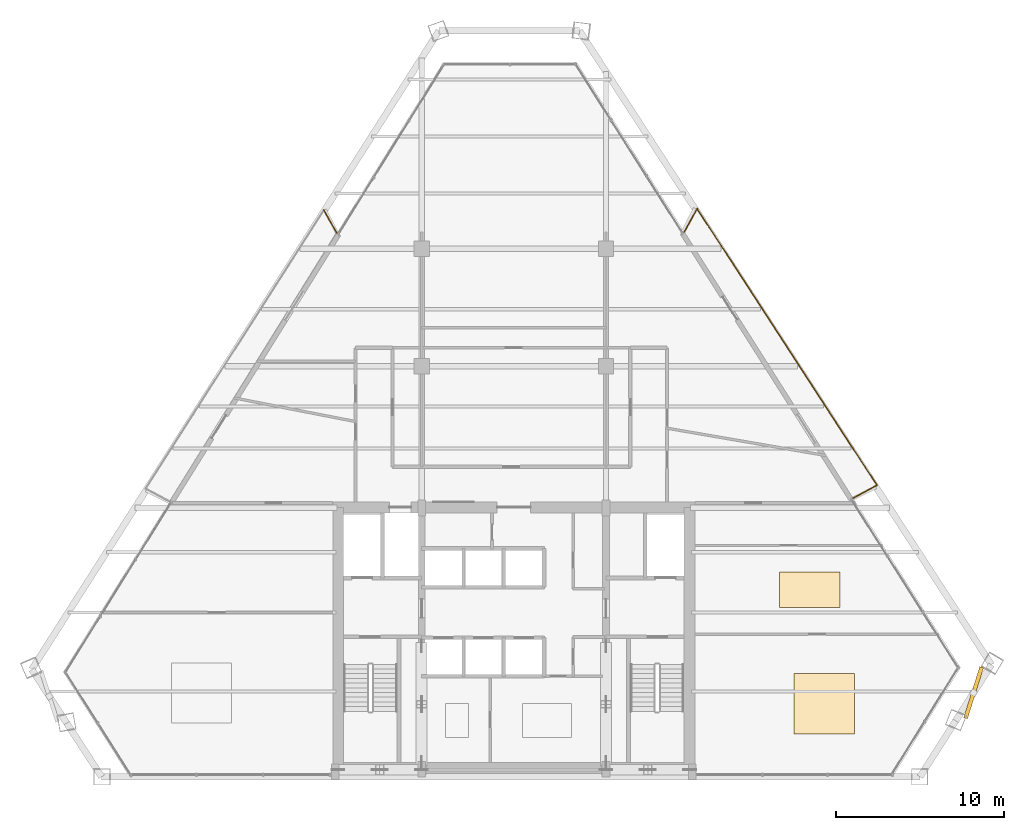
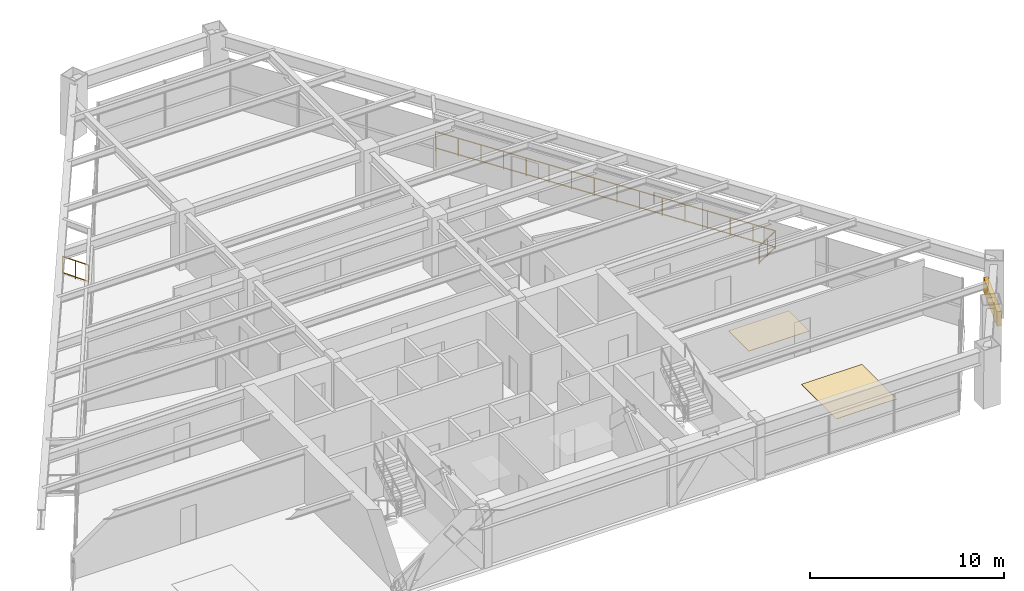
# One storey, part 15 of 15: 4 railings, 2 coverings, 1 shading device.
"""IFC4 building model written with IfcOpenShell, lengths in metres."""

from ifc_helpers import new_model, si_unit, direction, frame, origin, origin_2d, place, context, subcontext, project, spatial, rectangle, extrude, source, transform, mapped, material, layer, layer_set, type_object, type_shapes, element, save


model = new_model("IFC4")

# Units and contexts
model_context = context("Model", 3, precision=1e-05, world=origin(), true_north=direction((0.0, 1.0)))
body_context = subcontext(model_context, "Body", "Model", "MODEL_VIEW")
ifc_project = project(units=[si_unit("LENGTHUNIT", "METRE"), si_unit("AREAUNIT", "SQUARE_METRE"), si_unit("VOLUMEUNIT", "CUBIC_METRE"), si_unit("PLANEANGLEUNIT", "RADIAN"), si_unit("MASSUNIT", "GRAM", prefix="KILO")], contexts=[model_context])

# Site, building, storey
site_placement = place(None, origin())
site = spatial("IfcSite", under=ifc_project, at=site_placement, CompositionType="ELEMENT")
building_placement = place(site_placement, origin())
building = spatial("IfcBuilding", under=site, at=building_placement, Name="Varnakhor Terracotta Tower", CompositionType="ELEMENT")
storey_placement = place(building_placement, frame((0.0, 0.0, 182.10009765625)))
storey = spatial("IfcBuildingStorey", under=building, at=storey_placement, Name="L46", CompositionType="ELEMENT", Elevation=182.10009765625)

# Railings
ifc_material_1 = material(Name="Stainless Steel & Laminated Glass Guardrail", Category="steel")
railing_type = type_object("IfcRailingType", Name="RLG-LOGGIA-GUARD-1150", PredefinedType="GUARDRAIL", material=ifc_material_1)
railing_1_placement = place(storey_placement, frame((10.172119140625, 32.517578125, 0.0)))
element("IfcRailing", 1, at=railing_1_placement, inside=storey, type_object=railing_type, Name="L46 E Loggia Glass Guard 1", PredefinedType="GUARDRAIL", context=body_context, shape_type="SweptSolid", body=[
    extrude(rectangle(XDim=0.048095703125, YDim=0.048095703125, at=origin_2d()), frame((0.0, 0.0, 1.1259765625), z_axis=(0.487904724495, 0.872896889567, 0.0), x_axis=(-0.872896889567, 0.487904724495, 0.0)), (0.0, 0.0, 1.0), 1.5751953125),
    extrude(rectangle(XDim=0.048095703125, YDim=0.048095703125, at=origin_2d()), frame((0.0, 0.0, 0.10009765625), z_axis=(0.487904724495, 0.872896889567, 0.0), x_axis=(-0.872896889567, 0.487904724495, 0.0)), (0.0, 0.0, 1.0), 1.5751953125),
    extrude(rectangle(XDim=0.0419921875, YDim=0.0419921875, at=origin_2d()), origin(), (0.0, 0.0, 1.0), 1.101806640625),
    extrude(rectangle(XDim=0.0419921875, YDim=0.0419921875, at=origin_2d()), frame((0.38427734375, 0.6875, 0.0)), (0.0, 0.0, 1.0), 1.101806640625),
    extrude(rectangle(XDim=0.0419921875, YDim=0.0419921875, at=origin_2d()), frame((0.7685546875, 1.375, 0.0)), (0.0, 0.0, 1.0), 1.101806640625),
])
railing_2_placement = place(storey_placement, frame((10.940673828125, 33.892578125, 0.0)))
element("IfcRailing", 2, at=railing_2_placement, inside=storey, type_object=railing_type, Name="L46 E Loggia Glass Guard 2", PredefinedType="GUARDRAIL", context=body_context, shape_type="SweptSolid", body=[
    extrude(rectangle(XDim=0.048095703125, YDim=0.048095703125, at=origin_2d()), frame((0.0, 0.0, 1.1259765625), z_axis=(0.545097406997, -0.83837271955, 0.0), x_axis=(0.83837271955, 0.545097406997, 0.0)), (0.0, 0.0, 1.0), 19.671142578125),
    extrude(rectangle(XDim=0.048095703125, YDim=0.048095703125, at=origin_2d()), frame((0.0, 0.0, 0.10009765625), z_axis=(0.545097406997, -0.83837271955, 0.0), x_axis=(0.83837271955, 0.545097406997, 0.0)), (0.0, 0.0, 1.0), 19.671142578125),
    extrude(rectangle(XDim=0.0419921875, YDim=0.0419921875, at=origin_2d()), origin(), (0.0, 0.0, 1.0), 1.101806640625),
    extrude(rectangle(XDim=0.0419921875, YDim=0.0419921875, at=origin_2d()), frame((0.71484375, -1.099365234375, 0.0)), (0.0, 0.0, 1.0), 1.101806640625),
    extrude(rectangle(XDim=0.0419921875, YDim=0.0419921875, at=origin_2d()), frame((1.4296875, -2.198974609375, 0.0)), (0.0, 0.0, 1.0), 1.101806640625),
    extrude(rectangle(XDim=0.0419921875, YDim=0.0419921875, at=origin_2d()), frame((2.14453125, -3.29833984375, 0.0)), (0.0, 0.0, 1.0), 1.101806640625),
    extrude(rectangle(XDim=0.0419921875, YDim=0.0419921875, at=origin_2d()), frame((2.859375, -4.397705078125, 0.0)), (0.0, 0.0, 1.0), 1.101806640625),
    extrude(rectangle(XDim=0.0419921875, YDim=0.0419921875, at=origin_2d()), frame((3.57421875, -5.497314453125, 0.0)), (0.0, 0.0, 1.0), 1.101806640625),
    extrude(rectangle(XDim=0.0419921875, YDim=0.0419921875, at=origin_2d()), frame((4.2890625, -6.5966796875, 0.0)), (0.0, 0.0, 1.0), 1.101806640625),
    extrude(rectangle(XDim=0.0419921875, YDim=0.0419921875, at=origin_2d()), frame((5.00390625, -7.696044921875, 0.0)), (0.0, 0.0, 1.0), 1.101806640625),
    extrude(rectangle(XDim=0.0419921875, YDim=0.0419921875, at=origin_2d()), frame((5.71875, -8.795654296875, 0.0)), (0.0, 0.0, 1.0), 1.101806640625),
    extrude(rectangle(XDim=0.0419921875, YDim=0.0419921875, at=origin_2d()), frame((6.43359375, -9.89501953125, 0.0)), (0.0, 0.0, 1.0), 1.101806640625),
    extrude(rectangle(XDim=0.0419921875, YDim=0.0419921875, at=origin_2d()), frame((7.1484375, -10.994384765625, 0.0)), (0.0, 0.0, 1.0), 1.101806640625),
    extrude(rectangle(XDim=0.0419921875, YDim=0.0419921875, at=origin_2d()), frame((7.86328125, -12.093994140625, 0.0)), (0.0, 0.0, 1.0), 1.101806640625),
    extrude(rectangle(XDim=0.0419921875, YDim=0.0419921875, at=origin_2d()), frame((8.578125, -13.193359375, 0.0)), (0.0, 0.0, 1.0), 1.101806640625),
    extrude(rectangle(XDim=0.0419921875, YDim=0.0419921875, at=origin_2d()), frame((9.29296875, -14.292724609375, 0.0)), (0.0, 0.0, 1.0), 1.101806640625),
    extrude(rectangle(XDim=0.0419921875, YDim=0.0419921875, at=origin_2d()), frame((10.0078125, -15.392333984375, 0.0)), (0.0, 0.0, 1.0), 1.101806640625),
    extrude(rectangle(XDim=0.0419921875, YDim=0.0419921875, at=origin_2d()), frame((10.72265625, -16.49169921875, 0.0)), (0.0, 0.0, 1.0), 1.101806640625),
])
railing_3_placement = place(storey_placement, frame((21.663330078125, 17.40087890625, 0.0)))
element("IfcRailing", 3, at=railing_3_placement, inside=storey, type_object=railing_type, Name="L46 E Loggia Glass Guard 3", PredefinedType="GUARDRAIL", context=body_context, shape_type="SweptSolid", body=[
    extrude(rectangle(XDim=0.048095703125, YDim=0.048095703125, at=origin_2d()), frame((0.0, 0.0, 1.1259765625), z_axis=(-0.876703489429, -0.481031175313, 0.0), x_axis=(0.481031175313, -0.876703489429, 0.0)), (0.0, 0.0, 1.0), 1.615966796875),
    extrude(rectangle(XDim=0.048095703125, YDim=0.048095703125, at=origin_2d()), frame((0.0, 0.0, 0.10009765625), z_axis=(-0.876703489429, -0.481031175313, 0.0), x_axis=(0.481031175313, -0.876703489429, 0.0)), (0.0, 0.0, 1.0), 1.615966796875),
    extrude(rectangle(XDim=0.0419921875, YDim=0.0419921875, at=origin_2d()), origin(), (0.0, 0.0, 1.0), 1.101806640625),
    extrude(rectangle(XDim=0.0419921875, YDim=0.0419921875, at=origin_2d()), frame((-0.70849609375, -0.388671875, 0.0)), (0.0, 0.0, 1.0), 1.101806640625),
    extrude(rectangle(XDim=0.0419921875, YDim=0.0419921875, at=origin_2d()), frame((-1.416748046875, -0.77734375, 0.0)), (0.0, 0.0, 1.0), 1.101806640625),
])
railing_4_placement = place(storey_placement, frame((-11.337158203125, 33.816162109375, 0.0)))
element("IfcRailing", 4, at=railing_4_placement, inside=storey, type_object=railing_type, Name="L46 W Loggia Glass Guard 3", PredefinedType="GUARDRAIL", context=body_context, shape_type="SweptSolid", body=[
    extrude(rectangle(XDim=0.048095703125, YDim=0.048095703125, at=origin_2d()), frame((0.0, 0.0, 1.1259765625), z_axis=(0.490194932374, -0.871612831638, 0.0), x_axis=(0.871612831638, 0.490194932374, 0.0)), (0.0, 0.0, 1.0), 1.5732421875),
    extrude(rectangle(XDim=0.048095703125, YDim=0.048095703125, at=origin_2d()), frame((0.0, 0.0, 0.10009765625), z_axis=(0.490194932374, -0.871612831638, 0.0), x_axis=(0.871612831638, 0.490194932374, 0.0)), (0.0, 0.0, 1.0), 1.5732421875),
    extrude(rectangle(XDim=0.0419921875, YDim=0.0419921875, at=origin_2d()), origin(), (0.0, 0.0, 1.0), 1.101806640625),
    extrude(rectangle(XDim=0.0419921875, YDim=0.0419921875, at=origin_2d()), frame((0.3857421875, -0.685546875, 0.0)), (0.0, 0.0, 1.0), 1.101806640625),
    extrude(rectangle(XDim=0.0419921875, YDim=0.0419921875, at=origin_2d()), frame((0.771240234375, -1.371337890625, 0.0)), (0.0, 0.0, 1.0), 1.101806640625),
])

# Shading device
ifc_material_2 = material(Name="Extruded Architectural Terracotta Screen", Category="masonry")
shading_device_type = type_object("IfcShadingDeviceType", Name="TERRACOTTA SOLAR SCREEN E", PredefinedType="USERDEFINED", material=ifc_material_2)
shared_shape_1 = source(origin(), body_context, "Body", "SweptSolid", [
    extrude(rectangle(XDim=3.199951171875, YDim=0.239990234375, at=origin_2d()), origin(), (0.0, 0.0, 1.0), 0.919921875),
])
type_shapes(shading_device_type, [shared_shape_1])
shading_device_placement = place(storey_placement, frame((27.435302734375, 5.0146484375, 1.7099609375), z_axis=(0.0, 0.0, 1.0), x_axis=(0.301088621787, 0.953596162865, 0.0)))
element("IfcShadingDevice", 5, at=shading_device_placement, inside=storey, type_object=shading_device_type, Name="L46 E Terracotta Solar Screen", ObjectType="SCREEN", PredefinedType="USERDEFINED", context=body_context, shape_type="MappedRepresentation", body=[
    mapped(shared_shape_1, transform((0.0, 0.0, 0.0), scale=1.0)),
])

# Coverings
ifc_material_3 = material(Name="Honed Riyadh Limestone Flooring", Category="masonry")
ifc_layer = layer(ifc_material_3, 0.030029296875, Name="Honed Riyadh Limestone Flooring")
ifc_layer_set = layer_set([ifc_layer], Name="Honed Riyadh Limestone Flooring")
covering_type = type_object("IfcCoveringType", Name="COV-FLOOR-LIMESTONE", PredefinedType="FLOORING", material=ifc_layer_set)
shared_shape_2 = source(origin(), body_context, "Body", "SweptSolid", [
    extrude(rectangle(XDim=3.60009765625, YDim=3.60009765625, at=origin_2d()), origin(), (0.0, 0.0, 1.0), 0.02001953125),
])
covering_1_placement = place(storey_placement, frame((18.514892578125, 4.35205078125, 0.0), z_axis=(0.0, 0.0, 1.0), x_axis=(1.0, 0.0, 0.0)))
element("IfcCovering", 6, at=covering_1_placement, inside=storey, type_object=covering_type, Name="L46 Honed Stone Flooring 3", PredefinedType="FLOORING", context=body_context, shape_type="MappedRepresentation", body=[
    mapped(shared_shape_2, transform((0.0, 0.0, 0.0), scale=1.0)),
])
shared_shape_3 = source(origin(), body_context, "Body", "SweptSolid", [
    extrude(rectangle(XDim=3.60009765625, YDim=2.115966796875, at=origin_2d()), origin(), (0.0, 0.0, 1.0), 0.02001953125),
])
covering_2_placement = place(storey_placement, frame((17.652099609375, 11.14990234375, 0.0), z_axis=(0.0, 0.0, 1.0), x_axis=(1.0, 0.0, 0.0)))
element("IfcCovering", 7, at=covering_2_placement, inside=storey, type_object=covering_type, Name="L46 Honed Stone Flooring 5", PredefinedType="FLOORING", context=body_context, shape_type="MappedRepresentation", body=[
    mapped(shared_shape_3, transform((0.0, 0.0, 0.0), scale=1.0)),
])

save(model, "model.ifc")
